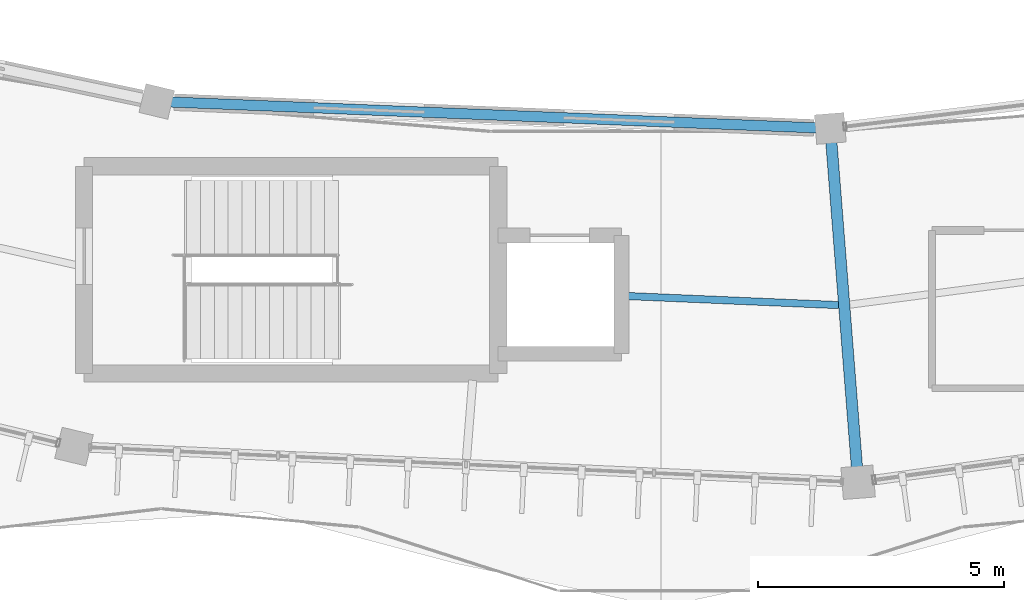
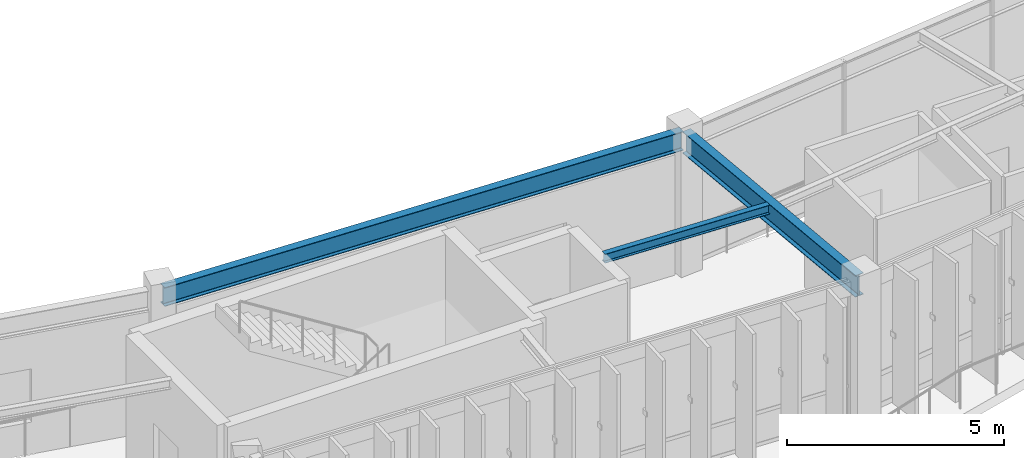
# One storey, part 46 of 114: 3 beams.
"""IFC4 building model written with IfcOpenShell, lengths in metres."""

from ifc_helpers import new_model, si_unit, direction, frame, origin, origin_2d, place, context, subcontext, project, spatial, i_section, extrude, material, material_profile, profile_set, type_object, element, save


model = new_model("IFC4")

# Units and contexts
model_context = context("Model", 3, precision=1e-05, world=origin(), true_north=direction((0.0, 1.0)))
body_context = subcontext(model_context, "Body", "Model", "MODEL_VIEW")
ifc_project = project(units=[si_unit("LENGTHUNIT", "METRE"), si_unit("AREAUNIT", "SQUARE_METRE"), si_unit("VOLUMEUNIT", "CUBIC_METRE"), si_unit("PLANEANGLEUNIT", "RADIAN"), si_unit("MASSUNIT", "GRAM", prefix="KILO"), si_unit("THERMODYNAMICTEMPERATUREUNIT", "KELVIN"), si_unit("POWERUNIT", "WATT")], contexts=[model_context])

# Site, building, storey
site_placement = place(None, origin())
site = spatial("IfcSite", under=ifc_project, at=site_placement, CompositionType="ELEMENT")
building_placement = place(site_placement, origin())
building = spatial("IfcBuilding", under=site, at=building_placement, Name="Darbajah Civic Hall", CompositionType="ELEMENT")
storey_placement = place(building_placement, frame((0.0, 0.0, 13.800048828125)))
storey = spatial("IfcBuildingStorey", under=building, at=storey_placement, Name="L03", CompositionType="ELEMENT", Elevation=13.800048828125)

# Beams
ifc_material = material(Name="Steel S355JR", Category="steel")
ifc_material_profile_1 = material_profile(ifc_material, i_section(OverallWidth=0.146484375, OverallDepth=0.256103515625, WebThickness=0.00634765625, FlangeThickness=0.010986328125, FilletRadius=0.007568359375, at=origin_2d()), Name="UB 254x146x37")
ifc_profile_set_1 = profile_set([ifc_material_profile_1], Name="Steel S355JR")
beam_type_1 = type_object("IfcBeamType", Name="UB 254x146x37", PredefinedType="JOIST", material=ifc_profile_set_1)
beam_1_placement = place(storey_placement, frame((88.419921875, 64.1689453125, 3.7919921875), z_axis=(0.999077737956, -0.042938019518, 0.0), x_axis=(0.042938019518, 0.999077737956, 0.0)))
element("IfcBeam", 1, at=beam_1_placement, inside=storey, type_object=beam_type_1, Name="L03 beam SJ-254", PredefinedType="JOIST", context=body_context, shape_type="SweptSolid", body=[
    extrude(i_section(OverallWidth=0.146484375, OverallDepth=0.256103515625, WebThickness=0.00634765625, FlangeThickness=0.010986328125, FilletRadius=0.007568359375, at=origin_2d()), origin(), (0.0, 0.0, 1.0), 4.287109375),
])
ifc_material_profile_2 = material_profile(ifc_material, i_section(OverallWidth=0.209228515625, OverallDepth=0.533203125, WebThickness=0.010009765625, FlangeThickness=0.015625, FilletRadius=0.0126953125, at=origin_2d()), Name="UB 533x210x92")
ifc_profile_set_2 = profile_set([ifc_material_profile_2], Name="Steel S355JR")
beam_type_2 = type_object("IfcBeamType", Name="UB 533x210x92", PredefinedType="BEAM", material=ifc_profile_set_2)
beam_2_placement = place(storey_placement, frame((78.955078125, 68.113037109375, 3.653564453125), z_axis=(0.999198127678, -0.04003875178, 0.0), x_axis=(0.04003875178, 0.999198127678, 0.0)))
element("IfcBeam", 2, at=beam_2_placement, inside=storey, type_object=beam_type_2, Name="L03 beam SB-533", PredefinedType="BEAM", context=body_context, shape_type="SweptSolid", body=[
    extrude(i_section(OverallWidth=0.209228515625, OverallDepth=0.533203125, WebThickness=0.010009765625, FlangeThickness=0.015625, FilletRadius=0.0126953125, at=origin_2d()), origin(), (0.0, 0.0, 1.0), 13.51220703125),
])
ifc_material_profile_3 = material_profile(ifc_material, i_section(OverallWidth=0.228271484375, OverallDepth=0.607666015625, WebThickness=0.010986328125, FlangeThickness=0.017333984375, FilletRadius=0.0126953125, at=origin_2d()), Name="UB 610x229x113")
ifc_profile_set_3 = profile_set([ifc_material_profile_3], Name="Steel S355JR")
beam_type_3 = type_object("IfcBeamType", Name="UB 610x229x113", PredefinedType="BEAM", material=ifc_profile_set_3)
beam_3_placement = place(storey_placement, frame((92.542724609375, 67.489013671875, 3.6162109375), z_axis=(0.078478466478, -0.996915809033, 0.0), x_axis=(0.996915809033, 0.078478466478, 0.0)))
element("IfcBeam", 3, at=beam_3_placement, inside=storey, type_object=beam_type_3, Name="L03 beam SB-610", PredefinedType="BEAM", context=body_context, shape_type="SweptSolid", body=[
    extrude(i_section(OverallWidth=0.228271484375, OverallDepth=0.607666015625, WebThickness=0.010986328125, FlangeThickness=0.017333984375, FilletRadius=0.0126953125, at=origin_2d()), origin(), (0.0, 0.0, 1.0), 7.0400390625),
])

save(model, "model.ifc")
